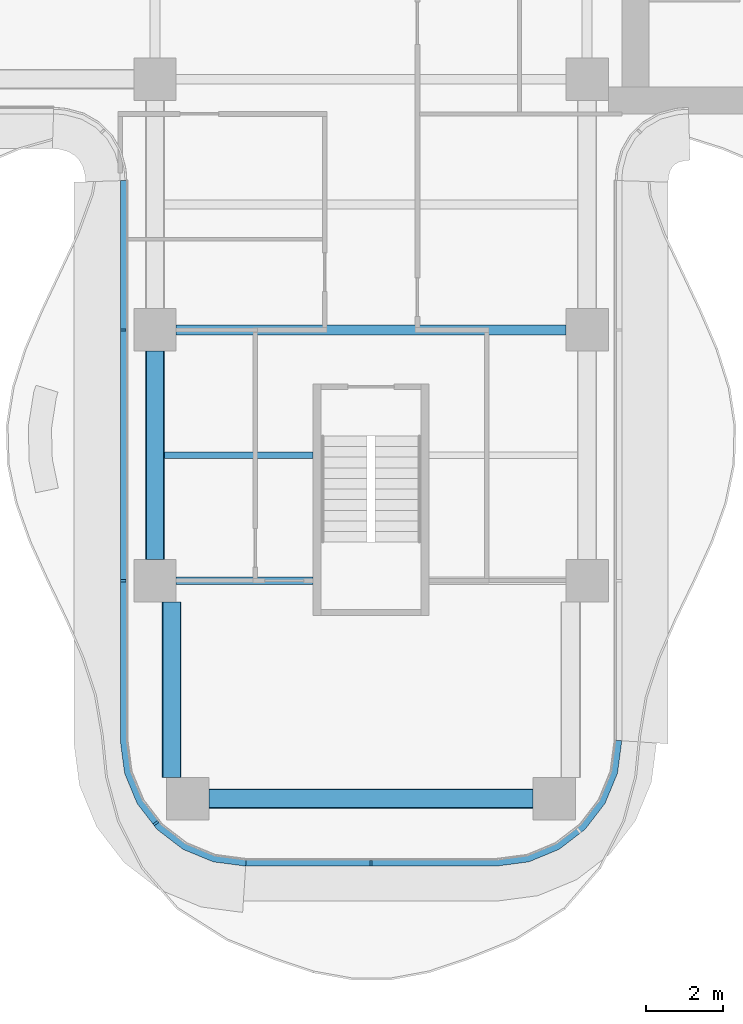
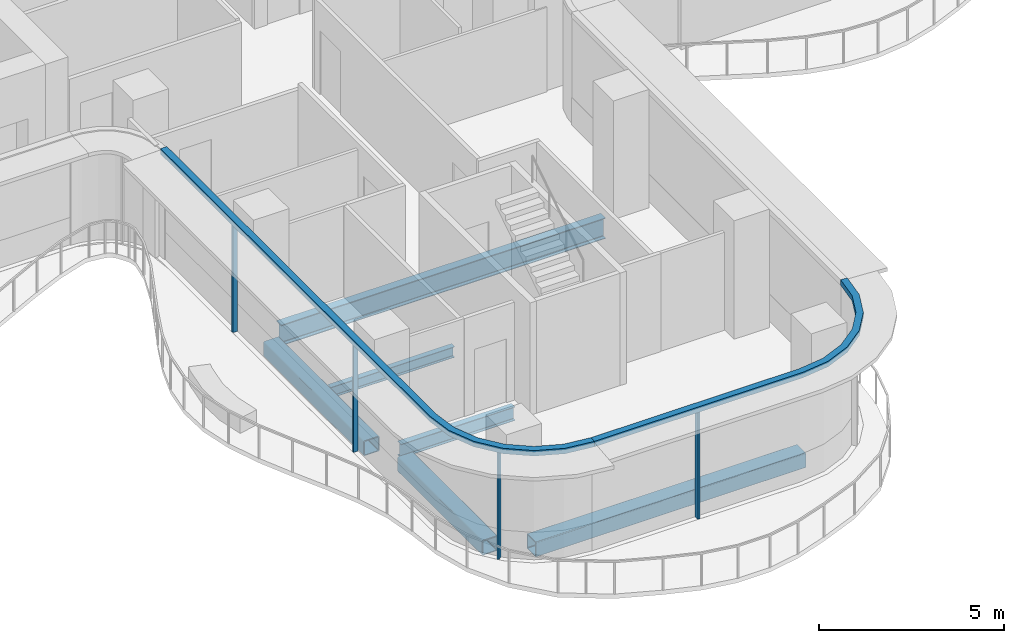
# One storey, part 2 of 17: 6 beams, 6 members, 2 elements without a shape of their own.
"""IFC4 building model written with IfcOpenShell, lengths in metres."""

from ifc_helpers import new_model, si_unit, direction, frame, origin, origin_2d, place, context, subcontext, project, spatial, polyline, rectangle, hollow_rectangle, i_section, outline, extrude, source, transform, mapped, material, layer, layer_set, material_profile, profile_set, type_object, element, aggregate, save


model = new_model("IFC4")

# Units and contexts
model_context = context("Model", 3, precision=1e-05, world=origin(), true_north=direction((0.0, 1.0)))
body_context = subcontext(model_context, "Body", "Model", "MODEL_VIEW")
ifc_project = project(units=[si_unit("LENGTHUNIT", "METRE"), si_unit("AREAUNIT", "SQUARE_METRE"), si_unit("VOLUMEUNIT", "CUBIC_METRE"), si_unit("PLANEANGLEUNIT", "RADIAN"), si_unit("MASSUNIT", "GRAM", prefix="KILO")], contexts=[model_context])

# Site, building, storey
site_placement = place(None, origin())
site = spatial("IfcSite", under=ifc_project, at=site_placement, CompositionType="ELEMENT")
building_placement = place(site_placement, origin())
building = spatial("IfcBuilding", under=site, at=building_placement, Name="Trellis Farm Tower", CompositionType="ELEMENT")
storey_placement = place(building_placement, frame((0.0, 0.0, 220.699951171875)))
storey = spatial("IfcBuildingStorey", under=building, at=storey_placement, Name="L48", CompositionType="ELEMENT", Elevation=220.699951171875)

# Beams
ifc_material_1 = material(Name="Steel S355", Category="steel")
ifc_material_profile_1 = material_profile(ifc_material_1, i_section(OverallWidth=0.1904296875, OverallDepth=0.45703125, WebThickness=0.009033203125, FlangeThickness=0.014404296875, FilletRadius=0.01025390625, at=origin_2d()), Name="UB 457x191x74")
ifc_profile_set_1 = profile_set([ifc_material_profile_1], Name="Steel S355")
beam_type_1 = type_object("IfcBeamType", Name="UB 457x191x74", PredefinedType="BEAM", material=ifc_profile_set_1)
shared_shape_1 = source(origin(), body_context, "Body", "SweptSolid", [
    extrude(i_section(OverallWidth=0.1904296875, OverallDepth=0.45703125, WebThickness=0.009033203125, FlangeThickness=0.014404296875, FilletRadius=0.01025390625, at=origin_2d()), origin(), (0.0, 0.0, 1.0), 3.550048828125),
])
beam_1_placement = place(storey_placement, frame((-5.050048828125, -18.60009765625, -0.428466796875), z_axis=(1.0, 0.0, 0.0), x_axis=(0.0, 1.0, 0.0)))
element("IfcBeam", 1, at=beam_1_placement, inside=storey, type_object=beam_type_1, Name="Girder", PredefinedType="BEAM", context=body_context, shape_type="MappedRepresentation", body=[
    mapped(shared_shape_1, transform((0.0, 0.0, 0.0))),
])
ifc_material_profile_2 = material_profile(ifc_material_1, hollow_rectangle(XDim=0.5, YDim=0.5, WallThickness=0.030029296875, InnerFilletRadius=0.030029296875, OuterFilletRadius=0.044921875, at=origin_2d()), Name="SHS 500x500x30")
ifc_profile_set_2 = profile_set([ifc_material_profile_2], Name="Steel S355")
beam_type_2 = type_object("IfcBeamType", Name="SHS 500x500x30", PredefinedType="BEAM", material=ifc_profile_set_2)
shared_shape_2 = source(origin(), body_context, "Body", "SweptSolid", [
    extrude(hollow_rectangle(XDim=0.5, YDim=0.5, WallThickness=0.030029296875, InnerFilletRadius=0.030029296875, OuterFilletRadius=0.044921875, at=origin_2d()), origin(), (0.0, 0.0, 1.0), 5.400146484375),
])
beam_2_placement = place(storey_placement, frame((-5.60009765625, -18.050048828125, -0.449951171875), z_axis=(0.0, 1.0, 0.0), x_axis=(-1.0, 0.0, 0.0)))
element("IfcBeam", 2, at=beam_2_placement, inside=storey, type_object=beam_type_2, Name="Girder", PredefinedType="BEAM", context=body_context, shape_type="MappedRepresentation", body=[
    mapped(shared_shape_2, transform((0.0, 0.0, 0.0))),
])
ifc_material_profile_3 = material_profile(ifc_material_1, i_section(OverallWidth=0.253662109375, OverallDepth=0.68359375, WebThickness=0.012451171875, FlangeThickness=0.021728515625, FilletRadius=0.01513671875, at=origin_2d()), Name="UB 686x254x140")
ifc_profile_set_3 = profile_set([ifc_material_profile_3], Name="Steel S355")
beam_type_3 = type_object("IfcBeamType", Name="UB 686x254x140", PredefinedType="BEAM", material=ifc_profile_set_3)
shared_shape_3 = source(origin(), body_context, "Body", "SweptSolid", [
    extrude(i_section(OverallWidth=0.253662109375, OverallDepth=0.68359375, WebThickness=0.012451171875, FlangeThickness=0.021728515625, FilletRadius=0.01513671875, at=origin_2d()), origin(), (0.0, 0.0, 1.0), 10.10009765625),
])
beam_3_placement = place(storey_placement, frame((-5.050048828125, -12.10009765625, -0.541748046875), z_axis=(1.0, 0.0, 0.0), x_axis=(0.0, 1.0, 0.0)))
element("IfcBeam", 3, at=beam_3_placement, inside=storey, type_object=beam_type_3, Name="Girder", PredefinedType="BEAM", context=body_context, shape_type="MappedRepresentation", body=[
    mapped(shared_shape_3, transform((0.0, 0.0, 0.0))),
])
shared_shape_4 = source(origin(), body_context, "Body", "SweptSolid", [
    extrude(hollow_rectangle(XDim=0.5, YDim=0.5, WallThickness=0.030029296875, InnerFilletRadius=0.030029296875, OuterFilletRadius=0.044921875, at=origin_2d()), origin(), (0.0, 0.0, 1.0), 8.39990234375),
])
beam_4_placement = place(storey_placement, frame((-4.199951171875, -24.25, -0.449951171875), z_axis=(1.0, 0.0, 0.0), x_axis=(0.0, 1.0, 0.0)))
element("IfcBeam", 4, at=beam_4_placement, inside=storey, type_object=beam_type_2, Name="Girder", PredefinedType="BEAM", context=body_context, shape_type="MappedRepresentation", body=[
    mapped(shared_shape_4, transform((0.0, 0.0, 0.0))),
])
shared_shape_5 = source(origin(), body_context, "Body", "SweptSolid", [
    extrude(hollow_rectangle(XDim=0.5, YDim=0.5, WallThickness=0.030029296875, InnerFilletRadius=0.030029296875, OuterFilletRadius=0.044921875, at=origin_2d()), origin(), (0.0, 0.0, 1.0), 4.550048828125),
])
beam_5_placement = place(storey_placement, frame((-5.175048828125, -23.699951171875, -0.449951171875), z_axis=(0.0, 1.0, 0.0), x_axis=(-1.0, 0.0, 0.0)))
element("IfcBeam", 5, at=beam_5_placement, inside=storey, type_object=beam_type_2, Name="Girder", PredefinedType="BEAM", context=body_context, shape_type="MappedRepresentation", body=[
    mapped(shared_shape_5, transform((0.0, 0.0, 0.0))),
])
ifc_material_profile_4 = material_profile(ifc_material_1, i_section(OverallWidth=0.17138671875, OverallDepth=0.35498046875, WebThickness=0.00732421875, FlangeThickness=0.011474609375, FilletRadius=0.01025390625, at=origin_2d()), Name="UB 356x171x51")
ifc_profile_set_4 = profile_set([ifc_material_profile_4], Name="Steel S355")
beam_type_4 = type_object("IfcBeamType", Name="UB 356x171x51 joist", PredefinedType="JOIST", material=ifc_profile_set_4)
shared_shape_6 = source(origin(), body_context, "Body", "SweptSolid", [
    extrude(i_section(OverallWidth=0.17138671875, OverallDepth=0.35498046875, WebThickness=0.00732421875, FlangeThickness=0.011474609375, FilletRadius=0.01025390625, at=origin_2d()), origin(), (0.0, 0.0, 1.0), 3.85009765625),
])
beam_6_placement = place(storey_placement, frame((-5.35009765625, -15.35009765625, -0.37744140625), z_axis=(1.0, 0.0, 0.0), x_axis=(0.0, 1.0, 0.0)))
element("IfcBeam", 6, at=beam_6_placement, inside=storey, type_object=beam_type_4, Name="Floor beam", PredefinedType="JOIST", context=body_context, shape_type="MappedRepresentation", body=[
    mapped(shared_shape_6, transform((0.0, 0.0, 0.0))),
])

# Curtain wall, member
ifc_material_2 = material(Name="Aluminium and glass curtain wall", Category="aluminium")
ifc_layer_1 = layer(ifc_material_2, 0.18994140625)
ifc_layer_set_1 = layer_set([ifc_layer_1], Name="RIBBON CURTAIN WALL CW1")
curtain_wall_type = type_object("IfcCurtainWallType", Name="RIBBON CURTAIN WALL CW1", PredefinedType="NOTDEFINED", material=ifc_layer_set_1)
placement_1 = place(storey_placement, origin())
curtain_wall_1 = element("IfcCurtainWall", 7, at=placement_1, inside=storey, type_object=curtain_wall_type, Name="CW1 002", PredefinedType="NOTDEFINED")
ifc_material_3 = material(Name="Aluminium extrusion 6063-T6", Category="aluminium")
ifc_layer_2 = layer(ifc_material_3, 0.199951171875)
ifc_layer_set_2 = layer_set([ifc_layer_2], Name="Aluminium extrusion 6063-T6")
member_type_1 = type_object("IfcMemberType", Name="CW1 TRANSOM 200x180", PredefinedType="USERDEFINED", material=ifc_layer_set_2)
shared_shape_7 = source(origin(), body_context, "Body", "SweptSolid", [
    extrude(outline(polyline([(-6.5, -8.2314453125), (-6.5, -22.75), (-6.38916015625, -23.591064453125), (-6.064697265625, -24.375), (-5.548095703125, -25.048095703125), (-4.875, -25.564697265625), (-4.091064453125, -25.88916015625), (-3.25, -26.0), (-3.23681640625, -25.800048828125), (-4.0390625, -25.6943359375), (-4.774169921875, -25.389892578125), (-5.405517578125, -24.905517578125), (-5.889892578125, -24.274169921875), (-6.1943359375, -23.5390625), (-6.300048828125, -22.73681640625), (-6.300048828125, -8.224853515625), (-6.5, -8.2314453125)])), origin(), (0.0, 0.0, 1.0), 0.179931640625),
])
placement_2 = place(storey_placement, frame((0.0, 0.0, 3.52001953125)))
member_1 = element("IfcMember", 8, at=placement_2, type_object=member_type_1, Name="TR1 002", ObjectType="TRANSOM", PredefinedType="USERDEFINED", context=body_context, shape_type="MappedRepresentation", body=[
    mapped(shared_shape_7, transform((0.0, 0.0, 0.0))),
])

curtain_wall_2 = element("IfcCurtainWall", 9, at=placement_1, inside=storey, type_object=curtain_wall_type, Name="CW1 003", PredefinedType="NOTDEFINED")
shared_shape_8 = source(origin(), body_context, "Body", "SweptSolid", [
    extrude(outline(polyline([(-3.25, -26.0), (3.25, -26.0), (4.091064453125, -25.88916015625), (4.875, -25.564697265625), (5.548095703125, -25.048095703125), (6.064697265625, -24.375), (6.38916015625, -23.591064453125), (6.5, -22.75), (6.300048828125, -22.73681640625), (6.1943359375, -23.5390625), (5.889892578125, -24.274169921875), (5.405517578125, -24.905517578125), (4.774169921875, -25.389892578125), (4.0390625, -25.6943359375), (3.23681640625, -25.800048828125), (-3.23681640625, -25.800048828125), (-3.25, -26.0)])), origin(), (0.0, 0.0, 1.0), 0.179931640625),
])
member_2 = element("IfcMember", 10, at=placement_2, type_object=member_type_1, Name="TR1 003", ObjectType="TRANSOM", PredefinedType="USERDEFINED", context=body_context, shape_type="MappedRepresentation", body=[
    mapped(shared_shape_8, transform((0.0, 0.0, 0.0))),
])

# Member
ifc_material_profile_5 = material_profile(ifc_material_3, rectangle(XDim=0.06005859375, YDim=0.14990234375, at=origin_2d()), Name="MULLION 60x150")
ifc_profile_set_5 = profile_set([ifc_material_profile_5], Name="Aluminium extrusion 6063-T6")
member_type_2 = type_object("IfcMemberType", Name="CW1 MULLION 60x150", PredefinedType="MULLION", material=ifc_profile_set_5)
shared_shape_9 = source(origin(), body_context, "Body", "SweptSolid", [
    extrude(rectangle(XDim=0.06005859375, YDim=0.14990234375, at=origin_2d()), origin(), (0.0, 0.0, 1.0), 3.52001953125),
])
member_3_placement = place(storey_placement, frame((-6.425048828125, -12.10009765625, 0.0), z_axis=(0.0, 0.0, 1.0), x_axis=(0.0, -1.0, 0.0)))
member_3 = element("IfcMember", 11, at=member_3_placement, type_object=member_type_2, Name="MU1 002-01", PredefinedType="MULLION", context=body_context, shape_type="MappedRepresentation", body=[
    mapped(shared_shape_9, transform((0.0, 0.0, 0.0))),
])

member_4_placement = place(storey_placement, frame((-6.425048828125, -18.60009765625, 0.0), z_axis=(0.0, 0.0, 1.0), x_axis=(0.0, -1.0, 0.0)))
member_4 = element("IfcMember", 12, at=member_4_placement, type_object=member_type_2, Name="MU1 002-02", PredefinedType="MULLION", context=body_context, shape_type="MappedRepresentation", body=[
    mapped(shared_shape_9, transform((0.0, 0.0, 0.0))),
])

member_5_placement = place(storey_placement, frame((-5.578369140625, -24.885498046875, 0.0), z_axis=(0.0, 0.0, 1.0), x_axis=(0.608761429009, -0.793353340291, 0.0)))
member_5 = element("IfcMember", 13, at=member_5_placement, type_object=member_type_2, Name="MU1 002-03", PredefinedType="MULLION", context=body_context, shape_type="MappedRepresentation", body=[
    mapped(shared_shape_9, transform((0.0, 0.0, 0.0))),
])

aggregate(curtain_wall_1, [member_3, member_4, member_5, member_1])

member_6_placement = place(storey_placement, frame((0.0, -25.925048828125, 0.0), z_axis=(0.0, 0.0, 1.0), x_axis=(1.0, 0.0, 0.0)))
member_6 = element("IfcMember", 14, at=member_6_placement, type_object=member_type_2, Name="MU1 003-01", PredefinedType="MULLION", context=body_context, shape_type="MappedRepresentation", body=[
    mapped(shared_shape_9, transform((0.0, 0.0, 0.0))),
])

aggregate(curtain_wall_2, [member_6, member_2])

save(model, "model.ifc")
